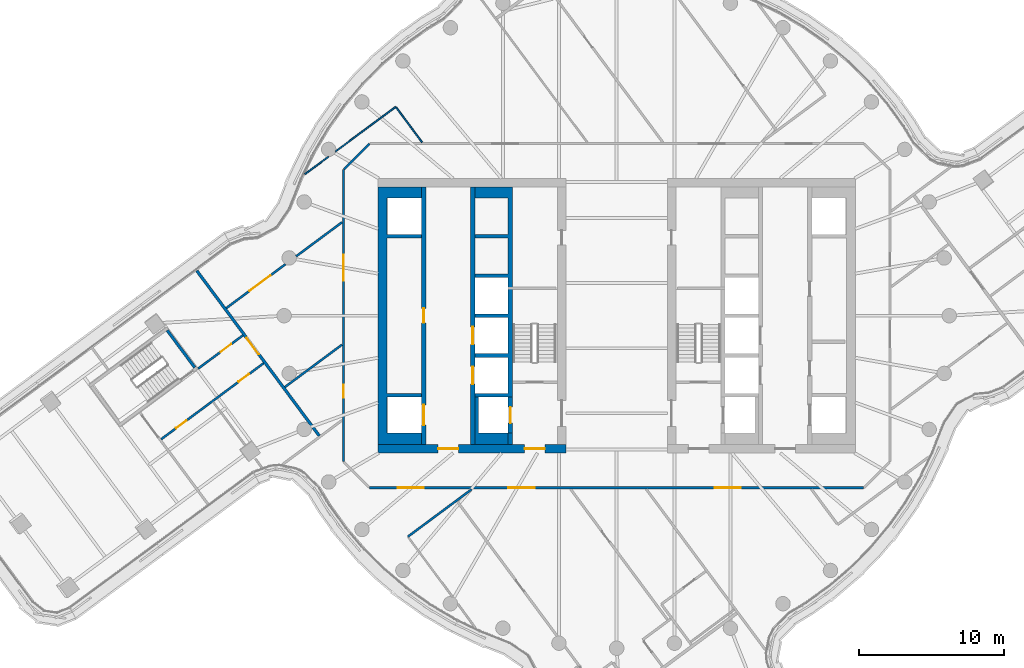
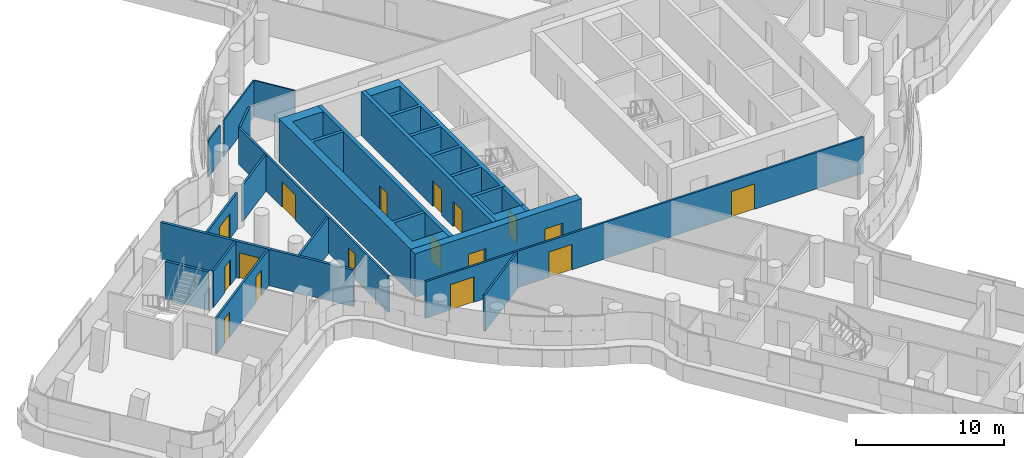
# One storey, part 21 of 32: 22 walls, 17 doors, 17 openings.
"""IFC4 building model written with IfcOpenShell, lengths in metres."""

from ifc_helpers import new_model, si_unit, direction, frame, frame_2d, origin, place, context, subcontext, project, spatial, polyline, rectangle, outline, extrude, material, layer, layer_set, type_object, element, fill, save


model = new_model("IFC4")

# Units and contexts
model_context = context("Model", 3, precision=1e-05, world=origin(), true_north=direction((0.0, 1.0)))
body_context = subcontext(model_context, "Body", "Model", "MODEL_VIEW")
ifc_project = project(units=[si_unit("LENGTHUNIT", "METRE"), si_unit("AREAUNIT", "SQUARE_METRE"), si_unit("VOLUMEUNIT", "CUBIC_METRE"), si_unit("PLANEANGLEUNIT", "RADIAN"), si_unit("MASSUNIT", "GRAM", prefix="KILO")], contexts=[model_context])

# Site, building, storey
site_placement = place(None, origin())
site = spatial("IfcSite", under=ifc_project, at=site_placement, CompositionType="ELEMENT")
building_placement = place(site_placement, origin())
building = spatial("IfcBuilding", under=site, at=building_placement, Name="Tamarind Cross Interchange Tower", CompositionType="ELEMENT")
storey_placement = place(building_placement, frame((0.0, 0.0, 166.75)))
storey = spatial("IfcBuildingStorey", under=building, at=storey_placement, Name="L41", CompositionType="ELEMENT", Elevation=166.75)

# Wall, openings, doors
ifc_material_1 = material(Name="Concrete C60", Category="concrete")
ifc_layer_1 = layer(ifc_material_1, 0.60009765625)
ifc_layer_set_1 = layer_set([ifc_layer_1], Name="Concrete C60")
wall_type_1 = type_object("IfcWallType", Name="Core wall 600 mm Concrete C60", PredefinedType="SHEAR", material=ifc_layer_set_1)
wall_1_placement = place(storey_placement, frame((-16.5, -9.199951171875, 0.0), z_axis=(0.0, 0.0, 1.0), x_axis=(1.0, 0.0, 0.0)))
wall_1 = element("IfcWall", 1, at=wall_1_placement, inside=storey, type_object=wall_type_1, Name="Core wall CWL-L41-W-S", PredefinedType="SHEAR", context=body_context, shape_type="SweptSolid", body=[
    extrude(rectangle(XDim=13.0, YDim=0.60009765625, at=frame_2d((6.5, 0.0))), origin(), (0.0, 0.0, 1.0), 3.610107421875),
])
opening_1_placement = place(wall_1_placement, frame((4.14990234375, 0.0, 0.0)))
opening_1 = element("IfcOpeningElement", 2, at=opening_1_placement, cuts=wall_1, Name="Opening DCW1", PredefinedType="OPENING", context=body_context, shape_type="SweptSolid", body=[
    extrude(rectangle(XDim=1.39990234375, YDim=2.10009765625, at=frame_2d((0.699951171875, 1.050048828125))), frame((0.0, 0.31005859375, 0.0), z_axis=(0.0, -1.0, 0.0), x_axis=(1.0, 0.0, 0.0)), (0.0, 0.0, 1.0), 0.6201171875),
])
opening_2_placement = place(wall_1_placement, frame((10.125, 0.0, 0.0)))
opening_2 = element("IfcOpeningElement", 3, at=opening_2_placement, cuts=wall_1, Name="Opening DCWF", PredefinedType="OPENING", context=body_context, shape_type="SweptSolid", body=[
    extrude(rectangle(XDim=1.39990234375, YDim=2.10009765625, at=frame_2d((0.699951171875, 1.050048828125))), frame((0.0, 0.31005859375, 0.0), z_axis=(0.0, -1.0, 0.0), x_axis=(1.0, 0.0, 0.0)), (0.0, 0.0, 1.0), 0.6201171875),
])
ifc_material_2 = material(Name="Steel, fire-resisting", Category="steel")
door_type_1 = type_object("IfcDoorType", Name="Core fire door 1400 x 2100 FD90", OperationType="SINGLE_SWING_LEFT", PredefinedType="DOOR", material=ifc_material_2)
door_1_placement = place(opening_1_placement, origin())
door_1 = element("IfcDoor", 4, at=door_1_placement, inside=storey, type_object=door_type_1, Name="L41 lift lobby door", OperationType="SINGLE_SWING_LEFT", OverallHeight=2.10009765625, OverallWidth=1.39990234375, PredefinedType="DOOR", context=body_context, shape_type="SweptSolid", body=[
    extrude(rectangle(XDim=1.39990234375, YDim=2.10009765625, at=frame_2d((0.699951171875, 1.050048828125))), frame((0.0, 0.02490234375, 0.0), z_axis=(0.0, -1.0, 0.0), x_axis=(1.0, 0.0, 0.0)), (0.0, 0.0, 1.0), 0.050048828125),
])
fill(opening_1, door_1)
door_2_placement = place(opening_2_placement, origin())
door_2 = element("IfcDoor", 5, at=door_2_placement, inside=storey, type_object=door_type_1, Name="L41 firefighting lobby end door", OperationType="SINGLE_SWING_LEFT", OverallHeight=2.10009765625, OverallWidth=1.39990234375, PredefinedType="DOOR", context=body_context, shape_type="SweptSolid", body=[
    extrude(rectangle(XDim=1.39990234375, YDim=2.10009765625, at=frame_2d((0.699951171875, 1.050048828125))), frame((0.0, 0.02490234375, 0.0), z_axis=(0.0, -1.0, 0.0), x_axis=(1.0, 0.0, 0.0)), (0.0, 0.0, 1.0), 0.050048828125),
])
fill(opening_2, door_2)

# Walls
wall_2_placement = place(storey_placement, origin())
element("IfcWall", 6, at=wall_2_placement, inside=storey, type_object=wall_type_1, Name="Core wall CWL-L41-W-A", PredefinedType="SHEAR", context=body_context, shape_type="SweptSolid", body=[
    extrude(outline(polyline([(-13.5, -8.125), (-15.89990234375, -8.125), (-15.89990234375, -5.625), (-13.5, -5.625), (-13.5, -5.375), (-15.89990234375, -5.375), (-15.89990234375, 5.375), (-13.5, 5.375), (-13.5, 5.625), (-15.89990234375, 5.625), (-15.89990234375, 8.125), (-13.5, 8.125), (-13.5, 8.89990234375), (-15.89990234375, 8.89990234375), (-16.5, 8.89990234375), (-16.5, -8.89990234375), (-15.89990234375, -8.89990234375), (-13.5, -8.89990234375), (-13.5, -8.125)])), origin(), (0.0, 0.0, 1.0), 3.610107421875),
])
ifc_layer_2 = layer(ifc_material_1, 0.300048828125)
ifc_layer_set_2 = layer_set([ifc_layer_2], Name="Concrete C60")
wall_type_2 = type_object("IfcWallType", Name="Core web wall 300 mm Concrete C60", PredefinedType="SHEAR", material=ifc_layer_set_2)
wall_3_placement = place(storey_placement, origin())
element("IfcWall", 7, at=wall_3_placement, inside=storey, type_object=wall_type_2, Name="Core wall CWL-L41-W-BN", PredefinedType="SHEAR", context=body_context, shape_type="SweptSolid", body=[
    extrude(outline(polyline([(-9.800048828125, -5.375), (-9.800048828125, -5.625), (-7.5, -5.625), (-7.199951171875, -5.625), (-7.199951171875, 8.89990234375), (-7.5, 8.89990234375), (-9.800048828125, 8.89990234375), (-9.800048828125, 8.125), (-7.5, 8.125), (-7.5, 5.625), (-9.800048828125, 5.625), (-9.800048828125, 5.375), (-7.5, 5.375), (-7.5, 2.875), (-9.800048828125, 2.875), (-9.800048828125, 2.625), (-7.5, 2.625), (-7.5, 0.125), (-9.800048828125, 0.125), (-9.800048828125, -0.125), (-7.5, -0.125), (-7.5, -2.625), (-9.800048828125, -2.625), (-9.800048828125, -2.875), (-7.5, -2.875), (-7.5, -5.375), (-9.800048828125, -5.375)])), origin(), (0.0, 0.0, 1.0), 3.610107421875),
])
wall_4_placement = place(storey_placement, origin())
element("IfcWall", 8, at=wall_4_placement, inside=storey, type_object=wall_type_2, Name="Core wall CWL-L41-W-BS", PredefinedType="SHEAR", context=body_context, shape_type="SweptSolid", body=[
    extrude(outline(polyline([(-7.5, -8.125), (-9.550048828125, -8.125), (-9.550048828125, -5.625), (-9.800048828125, -5.625), (-9.800048828125, -8.125), (-9.800048828125, -8.89990234375), (-7.5, -8.89990234375), (-7.5, -8.125)])), origin(), (0.0, 0.0, 1.0), 3.610107421875),
])
wall_5_placement = place(storey_placement, frame((-7.35009765625, -8.89990234375, 0.0), z_axis=(0.0, 0.0, 1.0), x_axis=(0.0, 1.0, 0.0)))
element("IfcWall", 9, at=wall_5_placement, inside=storey, type_object=wall_type_2, Name="Core wall CWL-L41-W-BW", PredefinedType="SHEAR", context=body_context, shape_type="SweptSolid", body=[
    extrude(rectangle(XDim=0.77490234375, YDim=0.300048828125, at=frame_2d((0.387451171875, 0.0))), origin(), (0.0, 0.0, 1.0), 3.610107421875),
])

# Wall, openings, doors
wall_6_placement = place(storey_placement, frame((-13.35009765625, -8.89990234375, 0.0), z_axis=(0.0, 0.0, 1.0), x_axis=(0.0, 1.0, 0.0)))
wall_6 = element("IfcWall", 10, at=wall_6_placement, inside=storey, type_object=wall_type_2, Name="Core wall CWL-L41-W-LA", PredefinedType="SHEAR", context=body_context, shape_type="SweptSolid", body=[
    extrude(rectangle(XDim=17.7998046875, YDim=0.300048828125, at=frame_2d((8.89990234375, 0.0))), origin(), (0.0, 0.0, 1.0), 3.610107421875),
])
opening_3_placement = place(wall_6_placement, frame((1.324951171875, 0.0, 0.0)))
opening_3 = element("IfcOpeningElement", 11, at=opening_3_placement, cuts=wall_6, Name="Opening LD1L41", PredefinedType="OPENING", context=body_context, shape_type="SweptSolid", body=[
    extrude(rectangle(XDim=1.39990234375, YDim=2.10009765625, at=frame_2d((0.699951171875, 1.050048828125))), frame((0.0, 0.159912109375, 0.0), z_axis=(0.0, -1.0, 0.0), x_axis=(1.0, 0.0, 0.0)), (0.0, 0.0, 1.0), 0.320068359375),
])
opening_4_placement = place(wall_6_placement, frame((8.39990234375, 0.0, 0.0)))
opening_4 = element("IfcOpeningElement", 12, at=opening_4_placement, cuts=wall_6, Name="Opening DCW9", PredefinedType="OPENING", context=body_context, shape_type="SweptSolid", body=[
    extrude(rectangle(XDim=1.0, YDim=2.10009765625, at=frame_2d((0.5, 1.050048828125))), frame((0.0, 0.159912109375, 0.0), z_axis=(0.0, -1.0, 0.0), x_axis=(1.0, 0.0, 0.0)), (0.0, 0.0, 1.0), 0.320068359375),
])
door_type_2 = type_object("IfcDoorType", Name="Core fire door 1000 x 2100 FD90", OperationType="SINGLE_SWING_LEFT", PredefinedType="DOOR", material=ifc_material_2)
door_3_placement = place(opening_4_placement, origin())
door_3 = element("IfcDoor", 13, at=door_3_placement, inside=storey, type_object=door_type_2, Name="L41 Electrical room door", OperationType="SINGLE_SWING_LEFT", OverallHeight=2.10009765625, OverallWidth=1.0, PredefinedType="DOOR", context=body_context, shape_type="SweptSolid", body=[
    extrude(rectangle(XDim=1.0, YDim=2.10009765625, at=frame_2d((0.5, 1.050048828125))), frame((0.0, 0.02490234375, 0.0), z_axis=(0.0, -1.0, 0.0), x_axis=(1.0, 0.0, 0.0)), (0.0, 0.0, 1.0), 0.050048828125),
])
fill(opening_4, door_3)
ifc_material_3 = material(Name="Stainless steel panel", Category="steel")
door_type_3 = type_object("IfcDoorType", Name="Lift landing door 1400 x 2100 E 120", OperationType="SLIDING_TO_LEFT", PredefinedType="DOOR", material=ifc_material_3)
door_4_placement = place(opening_3_placement, origin())
door_4 = element("IfcDoor", 14, at=door_4_placement, inside=storey, type_object=door_type_3, Name="L41 landing door LF1", OperationType="SLIDING_TO_LEFT", OverallHeight=2.10009765625, OverallWidth=1.39990234375, PredefinedType="DOOR", context=body_context, shape_type="SweptSolid", body=[
    extrude(rectangle(XDim=1.39990234375, YDim=2.10009765625, at=frame_2d((0.699951171875, 1.050048828125))), frame((0.0, 0.02490234375, 0.0), z_axis=(0.0, -1.0, 0.0), x_axis=(1.0, 0.0, 0.0)), (0.0, 0.0, 1.0), 0.050048828125),
])
fill(opening_3, door_4)

wall_7_placement = place(storey_placement, frame((-9.949951171875, -8.89990234375, 0.0), z_axis=(0.0, 0.0, 1.0), x_axis=(0.0, 1.0, 0.0)))
wall_7 = element("IfcWall", 15, at=wall_7_placement, inside=storey, type_object=wall_type_2, Name="Core wall CWL-L41-W-LB", PredefinedType="SHEAR", context=body_context, shape_type="SweptSolid", body=[
    extrude(rectangle(XDim=17.7998046875, YDim=0.300048828125, at=frame_2d((8.89990234375, 0.0))), origin(), (0.0, 0.0, 1.0), 3.610107421875),
])
opening_5_placement = place(wall_7_placement, frame((4.175048828125, 0.0, 0.0)))
opening_5 = element("IfcOpeningElement", 16, at=opening_5_placement, cuts=wall_7, Name="Opening LD8L41", PredefinedType="OPENING", context=body_context, shape_type="SweptSolid", body=[
    extrude(rectangle(XDim=1.199951171875, YDim=2.10009765625, at=frame_2d((0.60009765625, 1.050048828125))), frame((0.0, 0.159912109375, 0.0), z_axis=(0.0, -1.0, 0.0), x_axis=(1.0, 0.0, 0.0)), (0.0, 0.0, 1.0), 0.320068359375),
])
opening_6_placement = place(wall_7_placement, frame((6.925048828125, 0.0, 0.0)))
opening_6 = element("IfcOpeningElement", 17, at=opening_6_placement, cuts=wall_7, Name="Opening LD9L41", PredefinedType="OPENING", context=body_context, shape_type="SweptSolid", body=[
    extrude(rectangle(XDim=1.199951171875, YDim=2.10009765625, at=frame_2d((0.60009765625, 1.050048828125))), frame((0.0, 0.159912109375, 0.0), z_axis=(0.0, -1.0, 0.0), x_axis=(1.0, 0.0, 0.0)), (0.0, 0.0, 1.0), 0.320068359375),
])
door_type_4 = type_object("IfcDoorType", Name="Lift landing door 1200 x 2100 E 120", OperationType="SLIDING_TO_LEFT", PredefinedType="DOOR", material=ifc_material_3)
door_5_placement = place(opening_5_placement, origin())
door_5 = element("IfcDoor", 18, at=door_5_placement, inside=storey, type_object=door_type_4, Name="L41 landing door LF8", OperationType="SLIDING_TO_LEFT", OverallHeight=2.10009765625, OverallWidth=1.199951171875, PredefinedType="DOOR", context=body_context, shape_type="SweptSolid", body=[
    extrude(rectangle(XDim=1.199951171875, YDim=2.10009765625, at=frame_2d((0.60009765625, 1.050048828125))), frame((0.0, 0.02490234375, 0.0), z_axis=(0.0, -1.0, 0.0), x_axis=(1.0, 0.0, 0.0)), (0.0, 0.0, 1.0), 0.050048828125),
])
fill(opening_5, door_5)
door_6_placement = place(opening_6_placement, origin())
door_6 = element("IfcDoor", 19, at=door_6_placement, inside=storey, type_object=door_type_4, Name="L41 landing door LF9", OperationType="SLIDING_TO_LEFT", OverallHeight=2.10009765625, OverallWidth=1.199951171875, PredefinedType="DOOR", context=body_context, shape_type="SweptSolid", body=[
    extrude(rectangle(XDim=1.199951171875, YDim=2.10009765625, at=frame_2d((0.60009765625, 1.050048828125))), frame((0.0, 0.02490234375, 0.0), z_axis=(0.0, -1.0, 0.0), x_axis=(1.0, 0.0, 0.0)), (0.0, 0.0, 1.0), 0.050048828125),
])
fill(opening_6, door_6)

# Wall, opening, door
wall_8_placement = place(storey_placement, frame((-7.35009765625, -8.125, 0.0), z_axis=(0.0, 0.0, 1.0), x_axis=(0.0, 1.0, 0.0)))
wall_8 = element("IfcWall", 20, at=wall_8_placement, inside=storey, type_object=wall_type_2, Name="Core wall CWL-L41-W-FF", PredefinedType="SHEAR", context=body_context, shape_type="SweptSolid", body=[
    extrude(rectangle(XDim=2.5, YDim=0.300048828125, at=frame_2d((1.25, 0.0))), origin(), (0.0, 0.0, 1.0), 3.610107421875),
])
opening_7_placement = place(wall_8_placement, frame((0.699951171875, 0.0, 0.0)))
opening_7 = element("IfcOpeningElement", 21, at=opening_7_placement, cuts=wall_8, Name="Opening LD7L41", PredefinedType="OPENING", context=body_context, shape_type="SweptSolid", body=[
    extrude(rectangle(XDim=1.10009765625, YDim=2.10009765625, at=frame_2d((0.550048828125, 1.050048828125))), frame((0.0, 0.159912109375, 0.0), z_axis=(0.0, -1.0, 0.0), x_axis=(1.0, 0.0, 0.0)), (0.0, 0.0, 1.0), 0.320068359375),
])
door_type_5 = type_object("IfcDoorType", Name="Lift landing door 1100 x 2100 E 120", OperationType="SLIDING_TO_LEFT", PredefinedType="DOOR", material=ifc_material_3)
door_7_placement = place(opening_7_placement, origin())
door_7 = element("IfcDoor", 22, at=door_7_placement, inside=storey, type_object=door_type_5, Name="L41 landing door LF7", OperationType="SLIDING_TO_LEFT", OverallHeight=2.10009765625, OverallWidth=1.10009765625, PredefinedType="DOOR", context=body_context, shape_type="SweptSolid", body=[
    extrude(rectangle(XDim=1.10009765625, YDim=2.10009765625, at=frame_2d((0.550048828125, 1.050048828125))), frame((0.0, 0.02490234375, 0.0), z_axis=(0.0, -1.0, 0.0), x_axis=(1.0, 0.0, 0.0)), (0.0, 0.0, 1.0), 0.050048828125),
])
fill(opening_7, door_7)

# Walls
ifc_material_4 = material(Name="Gypsum board partition on steel studs", Category="steel")
ifc_layer_3 = layer(ifc_material_4, 0.10009765625)
ifc_layer_set_3 = layer_set([ifc_layer_3], Name="Gypsum board partition on steel studs")
wall_type_3 = type_object("IfcWallType", Name="Partition 100 mm EI 90", PredefinedType="PARTITIONING", material=ifc_layer_set_3)
wall_9_placement = place(storey_placement, frame((-15.254150390625, 14.40478515625, 0.0), z_axis=(0.0, 0.0, 1.0), x_axis=(0.595811472465, -0.803124329901, 0.0)))
element("IfcWall", 23, at=wall_9_placement, inside=storey, type_object=wall_type_3, Name="Partition L41-006", PredefinedType="PARTITIONING", context=body_context, shape_type="SweptSolid", body=[
    extrude(rectangle(XDim=3.0087890625, YDim=0.10009765625, at=frame_2d((1.50439453125, 0.0))), origin(), (0.0, 0.0, 1.0), 3.010009765625),
])
wall_10_placement = place(storey_placement, frame((-21.56640625, 9.784423828125, 0.0), z_axis=(0.0, 0.0, 1.0), x_axis=(0.803148127908, 0.595779392593, 0.0)))
element("IfcWall", 24, at=wall_10_placement, inside=storey, type_object=wall_type_3, Name="Partition L41-041", PredefinedType="PARTITIONING", context=body_context, shape_type="SweptSolid", body=[
    extrude(rectangle(XDim=2.031005859375, YDim=0.10009765625, at=frame_2d((1.015625, 0.0))), origin(), (0.0, 0.0, 1.0), 3.010009765625),
])
wall_11_placement = place(storey_placement, frame((-19.447021484375, 11.356689453125, 0.0), z_axis=(0.0, 0.0, 1.0), x_axis=(0.803131470392, 0.595801847317, 0.0)))
element("IfcWall", 25, at=wall_11_placement, inside=storey, type_object=wall_type_3, Name="Partition L41-042", PredefinedType="PARTITIONING", context=body_context, shape_type="SweptSolid", body=[
    extrude(rectangle(XDim=5.18359375, YDim=0.10009765625, at=frame_2d((2.591796875, 0.0))), origin(), (0.0, 0.0, 1.0), 3.010009765625),
])

# Wall, openings, doors
ifc_layer_4 = layer(ifc_material_4, 0.14990234375)
ifc_layer_set_4 = layer_set([ifc_layer_4], Name="Gypsum board partition on steel studs")
wall_type_4 = type_object("IfcWallType", Name="Partition 150 mm EI 120", PredefinedType="PARTITIONING", material=ifc_layer_set_4)
wall_12_placement = place(storey_placement, frame((-17.10009765625, -11.89990234375, 0.0), z_axis=(0.0, 0.0, 1.0), x_axis=(1.0, 0.0, 0.0)))
wall_12 = element("IfcWall", 26, at=wall_12_placement, inside=storey, type_object=wall_type_4, Name="Partition L41-033", PredefinedType="PARTITIONING", context=body_context, shape_type="SweptSolid", body=[
    extrude(rectangle(XDim=34.1650390625, YDim=0.14990234375, at=frame_2d((17.08251953125, 0.0))), origin(), (0.0, 0.0, 1.0), 3.010009765625),
])
opening_8_placement = place(wall_12_placement, frame((9.616943359375, 0.0, 0.0)))
opening_8 = element("IfcOpeningElement", 27, at=opening_8_placement, cuts=wall_12, Name="Opening D22", PredefinedType="OPENING", context=body_context, shape_type="SweptSolid", body=[
    extrude(rectangle(XDim=1.800048828125, YDim=2.10009765625, at=frame_2d((0.89990234375, 1.050048828125))), frame((0.0, 0.0849609375, 0.0), z_axis=(0.0, -1.0, 0.0), x_axis=(1.0, 0.0, 0.0)), (0.0, 0.0, 1.0), 0.169921875),
])
opening_9_placement = place(wall_12_placement, frame((1.949951171875, 0.0, 0.0)))
opening_9 = element("IfcOpeningElement", 28, at=opening_9_placement, cuts=wall_12, Name="Opening D23", PredefinedType="OPENING", context=body_context, shape_type="SweptSolid", body=[
    extrude(rectangle(XDim=1.800048828125, YDim=2.10009765625, at=frame_2d((0.89990234375, 1.050048828125))), frame((0.0, 0.0849609375, 0.0), z_axis=(0.0, -1.0, 0.0), x_axis=(1.0, 0.0, 0.0)), (0.0, 0.0, 1.0), 0.169921875),
])
opening_10_placement = place(wall_12_placement, frame((23.87109375, 0.0, 0.0)))
opening_10 = element("IfcOpeningElement", 29, at=opening_10_placement, cuts=wall_12, Name="Opening D24", PredefinedType="OPENING", context=body_context, shape_type="SweptSolid", body=[
    extrude(rectangle(XDim=1.800048828125, YDim=2.10009765625, at=frame_2d((0.89990234375, 1.050048828125))), frame((0.0, 0.0849609375, 0.0), z_axis=(0.0, -1.0, 0.0), x_axis=(1.0, 0.0, 0.0)), (0.0, 0.0, 1.0), 0.169921875),
])
ifc_material_5 = material(Name="Fire-resisting door set")
door_type_6 = type_object("IfcDoorType", Name="Interior door 1800 x 2100 FD60S", OperationType="DOUBLE_DOOR_SINGLE_SWING", PredefinedType="DOOR", material=ifc_material_5)
door_8_placement = place(opening_8_placement, origin())
door_8 = element("IfcDoor", 30, at=door_8_placement, inside=storey, type_object=door_type_6, Name="Door D22", OperationType="DOUBLE_DOOR_SINGLE_SWING", OverallHeight=2.10009765625, OverallWidth=1.800048828125, PredefinedType="DOOR", context=body_context, shape_type="SweptSolid", body=[
    extrude(rectangle(XDim=1.800048828125, YDim=2.10009765625, at=frame_2d((0.89990234375, 1.050048828125))), frame((0.0, 0.02490234375, 0.0), z_axis=(0.0, -1.0, 0.0), x_axis=(1.0, 0.0, 0.0)), (0.0, 0.0, 1.0), 0.050048828125),
])
fill(opening_8, door_8)
door_9_placement = place(opening_9_placement, frame((1.800048828125, 0.0, 0.0), z_axis=(0.0, 0.0, 1.0), x_axis=(-1.0, 0.0, 0.0)))
door_9 = element("IfcDoor", 31, at=door_9_placement, inside=storey, type_object=door_type_6, Name="Door D23", OperationType="DOUBLE_DOOR_SINGLE_SWING", OverallHeight=2.10009765625, OverallWidth=1.800048828125, PredefinedType="DOOR", context=body_context, shape_type="SweptSolid", body=[
    extrude(rectangle(XDim=1.800048828125, YDim=2.10009765625, at=frame_2d((0.89990234375, 1.050048828125))), frame((0.0, 0.02490234375, 0.0), z_axis=(0.0, -1.0, 0.0), x_axis=(1.0, 0.0, 0.0)), (0.0, 0.0, 1.0), 0.050048828125),
])
fill(opening_9, door_9)
door_10_placement = place(opening_10_placement, frame((1.800048828125, 0.0, 0.0), z_axis=(0.0, 0.0, 1.0), x_axis=(-1.0, 0.0, 0.0)))
door_10 = element("IfcDoor", 32, at=door_10_placement, inside=storey, type_object=door_type_6, Name="Door D24", OperationType="DOUBLE_DOOR_SINGLE_SWING", OverallHeight=2.10009765625, OverallWidth=1.800048828125, PredefinedType="DOOR", context=body_context, shape_type="SweptSolid", body=[
    extrude(rectangle(XDim=1.800048828125, YDim=2.10009765625, at=frame_2d((0.89990234375, 1.050048828125))), frame((0.0, 0.02490234375, 0.0), z_axis=(0.0, -1.0, 0.0), x_axis=(1.0, 0.0, 0.0)), (0.0, 0.0, 1.0), 0.050048828125),
])
fill(opening_10, door_10)

wall_13_placement = place(storey_placement, frame((-31.500732421875, -8.542236328125, 0.0), z_axis=(0.0, 0.0, 1.0), x_axis=(0.803144600924, 0.59578414716, 0.0)))
wall_13 = element("IfcWall", 33, at=wall_13_placement, inside=storey, type_object=wall_type_4, Name="Partition L41-035", PredefinedType="PARTITIONING", context=body_context, shape_type="SweptSolid", body=[
    extrude(rectangle(XDim=8.819580078125, YDim=0.14990234375, at=frame_2d((4.40966796875, 0.0))), origin(), (0.0, 0.0, 1.0), 3.010009765625),
])
opening_11_placement = place(wall_13_placement, frame((6.669921875, 0.0, 0.0)))
opening_11 = element("IfcOpeningElement", 34, at=opening_11_placement, cuts=wall_13, Name="Opening D28", PredefinedType="OPENING", context=body_context, shape_type="SweptSolid", body=[
    extrude(rectangle(XDim=0.89990234375, YDim=2.10009765625, at=frame_2d((0.449951171875, 1.050048828125))), frame((0.0, 0.0849609375, 0.0), z_axis=(0.0, -1.0, 0.0), x_axis=(1.0, 0.0, 0.0)), (0.0, 0.0, 1.0), 0.169921875),
])
opening_12_placement = place(wall_13_placement, frame((1.27001953125, 0.0, 0.0)))
opening_12 = element("IfcOpeningElement", 35, at=opening_12_placement, cuts=wall_13, Name="Opening D29", PredefinedType="OPENING", context=body_context, shape_type="SweptSolid", body=[
    extrude(rectangle(XDim=0.89990234375, YDim=2.10009765625, at=frame_2d((0.449951171875, 1.050048828125))), frame((0.0, 0.0849609375, 0.0), z_axis=(0.0, -1.0, 0.0), x_axis=(1.0, 0.0, 0.0)), (0.0, 0.0, 1.0), 0.169921875),
])
door_type_7 = type_object("IfcDoorType", Name="Interior door 900 x 2100 FD60S", OperationType="SINGLE_SWING_LEFT", PredefinedType="DOOR", material=ifc_material_5)
door_11_placement = place(opening_11_placement, frame((0.89990234375, 0.0, 0.0), z_axis=(0.0, 0.0, 1.0), x_axis=(-1.0, 0.0, 0.0)))
door_11 = element("IfcDoor", 36, at=door_11_placement, inside=storey, type_object=door_type_7, Name="Door D28", OperationType="SINGLE_SWING_RIGHT", OverallHeight=2.10009765625, OverallWidth=0.89990234375, PredefinedType="DOOR", context=body_context, shape_type="SweptSolid", body=[
    extrude(rectangle(XDim=0.89990234375, YDim=2.10009765625, at=frame_2d((0.449951171875, 1.050048828125))), frame((0.0, 0.02490234375, 0.0), z_axis=(0.0, -1.0, 0.0), x_axis=(1.0, 0.0, 0.0)), (0.0, 0.0, 1.0), 0.050048828125),
])
fill(opening_11, door_11)
door_12_placement = place(opening_12_placement, frame((0.89990234375, 0.0, 0.0), z_axis=(0.0, 0.0, 1.0), x_axis=(-1.0, 0.0, 0.0)))
door_12 = element("IfcDoor", 37, at=door_12_placement, inside=storey, type_object=door_type_7, Name="Door D29", OperationType="SINGLE_SWING_LEFT", OverallHeight=2.10009765625, OverallWidth=0.89990234375, PredefinedType="DOOR", context=body_context, shape_type="SweptSolid", body=[
    extrude(rectangle(XDim=0.89990234375, YDim=2.10009765625, at=frame_2d((0.449951171875, 1.050048828125))), frame((0.0, 0.02490234375, 0.0), z_axis=(0.0, -1.0, 0.0), x_axis=(1.0, 0.0, 0.0)), (0.0, 0.0, 1.0), 0.050048828125),
])
fill(opening_12, door_12)

# Wall, opening, door
wall_14_placement = place(storey_placement, frame((-28.947509765625, -3.659423828125, 0.0), z_axis=(0.0, 0.0, 1.0), x_axis=(0.803131221911, 0.595802182265, 0.0)))
wall_14 = element("IfcWall", 38, at=wall_14_placement, inside=storey, type_object=wall_type_4, Name="Partition L41-036", PredefinedType="PARTITIONING", context=body_context, shape_type="SweptSolid", body=[
    extrude(rectangle(XDim=3.860107421875, YDim=0.14990234375, at=frame_2d((1.93017578125, 0.0))), origin(), (0.0, 0.0, 1.0), 3.010009765625),
])
opening_13_placement = place(wall_14_placement, frame((1.949951171875, 0.0, 0.0)))
opening_13 = element("IfcOpeningElement", 39, at=opening_13_placement, cuts=wall_14, Name="Opening D30", PredefinedType="OPENING", context=body_context, shape_type="SweptSolid", body=[
    extrude(rectangle(XDim=0.89990234375, YDim=2.10009765625, at=frame_2d((0.449951171875, 1.050048828125))), frame((0.0, 0.0849609375, 0.0), z_axis=(0.0, -1.0, 0.0), x_axis=(1.0, 0.0, 0.0)), (0.0, 0.0, 1.0), 0.169921875),
])
door_13_placement = place(opening_13_placement, origin())
door_13 = element("IfcDoor", 40, at=door_13_placement, inside=storey, type_object=door_type_7, Name="Door D30", OperationType="SINGLE_SWING_LEFT", OverallHeight=2.10009765625, OverallWidth=0.89990234375, PredefinedType="DOOR", context=body_context, shape_type="SweptSolid", body=[
    extrude(rectangle(XDim=0.89990234375, YDim=2.10009765625, at=frame_2d((0.449951171875, 1.050048828125))), frame((0.0, 0.02490234375, 0.0), z_axis=(0.0, -1.0, 0.0), x_axis=(1.0, 0.0, 0.0)), (0.0, 0.0, 1.0), 0.050048828125),
])
fill(opening_13, door_13)

wall_15_placement = place(storey_placement, frame((-26.997802734375, 0.526611328125, 0.0), z_axis=(0.0, 0.0, 1.0), x_axis=(0.803172828939, 0.595746092605, 0.0)))
wall_15 = element("IfcWall", 41, at=wall_15_placement, inside=storey, type_object=wall_type_4, Name="Partition L41-037", PredefinedType="PARTITIONING", context=body_context, shape_type="SweptSolid", body=[
    extrude(rectangle(XDim=5.088134765625, YDim=0.14990234375, at=frame_2d((2.5439453125, 0.0))), origin(), (0.0, 0.0, 1.0), 3.010009765625),
])
opening_14_placement = place(wall_15_placement, frame((2.0, 0.0, 0.0)))
opening_14 = element("IfcOpeningElement", 42, at=opening_14_placement, cuts=wall_15, Name="Opening D31", PredefinedType="OPENING", context=body_context, shape_type="SweptSolid", body=[
    extrude(rectangle(XDim=1.800048828125, YDim=2.10009765625, at=frame_2d((0.89990234375, 1.050048828125))), frame((0.0, 0.0849609375, 0.0), z_axis=(0.0, -1.0, 0.0), x_axis=(1.0, 0.0, 0.0)), (0.0, 0.0, 1.0), 0.169921875),
])
door_14_placement = place(opening_14_placement, origin())
door_14 = element("IfcDoor", 43, at=door_14_placement, inside=storey, type_object=door_type_6, Name="Door D31", OperationType="DOUBLE_DOOR_SINGLE_SWING", OverallHeight=2.10009765625, OverallWidth=1.800048828125, PredefinedType="DOOR", context=body_context, shape_type="SweptSolid", body=[
    extrude(rectangle(XDim=1.800048828125, YDim=2.10009765625, at=frame_2d((0.89990234375, 1.050048828125))), frame((0.0, 0.02490234375, 0.0), z_axis=(0.0, -1.0, 0.0), x_axis=(1.0, 0.0, 0.0)), (0.0, 0.0, 1.0), 0.050048828125),
])
fill(opening_14, door_14)

# Walls
wall_16_placement = place(storey_placement, frame((-22.1708984375, 4.10693359375, 0.0), z_axis=(0.0, 0.0, 1.0), x_axis=(0.803180127116, 0.595736253225, 0.0)))
element("IfcWall", 44, at=wall_16_placement, inside=storey, type_object=wall_type_4, Name="Partition L41-038", PredefinedType="PARTITIONING", context=body_context, shape_type="SweptSolid", body=[
    extrude(rectangle(XDim=3.947265625, YDim=0.14990234375, at=frame_2d((1.9736328125, 0.0))), origin(), (0.0, 0.0, 1.0), 3.010009765625),
])
wall_17_placement = place(storey_placement, frame((-22.94580078125, -4.935302734375, 0.0), z_axis=(0.0, 0.0, 1.0), x_axis=(0.803137919157, 0.595793154385, 0.0)))
element("IfcWall", 45, at=wall_17_placement, inside=storey, type_object=wall_type_4, Name="Partition L41-040", PredefinedType="PARTITIONING", context=body_context, shape_type="SweptSolid", body=[
    extrude(rectangle(XDim=4.912353515625, YDim=0.14990234375, at=frame_2d((2.4560546875, 0.0))), origin(), (0.0, 0.0, 1.0), 3.010009765625),
])
wall_18_placement = place(storey_placement, frame((-14.445068359375, -15.283935546875, 0.0), z_axis=(0.0, 0.0, 1.0), x_axis=(0.803166728219, 0.595754317385, 0.0)))
element("IfcWall", 46, at=wall_18_placement, inside=storey, type_object=wall_type_4, Name="Partition L41-048", PredefinedType="PARTITIONING", context=body_context, shape_type="SweptSolid", body=[
    extrude(rectangle(XDim=5.485107421875, YDim=0.14990234375, at=frame_2d((2.74267578125, 0.0))), origin(), (0.0, 0.0, 1.0), 3.010009765625),
])
wall_19_placement = place(storey_placement, frame((-18.87158203125, 10.12841796875, 0.0), z_axis=(0.0, 0.0, 1.0), x_axis=(0.707106781187, 0.707106781187, 0.0)))
element("IfcWall", 47, at=wall_19_placement, inside=storey, type_object=wall_type_4, Name="Partition L41-075", PredefinedType="PARTITIONING", context=body_context, shape_type="SweptSolid", body=[
    extrude(rectangle(XDim=2.50537109375, YDim=0.14990234375, at=frame_2d((1.252685546875, 0.0))), origin(), (0.0, 0.0, 1.0), 3.010009765625),
])

# Wall, openings, doors
wall_20_placement = place(storey_placement, frame((-18.89990234375, -10.10009765625, 0.0), z_axis=(0.0, 0.0, 1.0), x_axis=(0.0, 1.0, 0.0)))
wall_20 = element("IfcWall", 48, at=wall_20_placement, inside=storey, type_object=wall_type_4, Name="Partition L41-077", PredefinedType="PARTITIONING", context=body_context, shape_type="SweptSolid", body=[
    extrude(rectangle(XDim=20.2001953125, YDim=0.14990234375, at=frame_2d((10.10009765625, 0.0))), origin(), (0.0, 0.0, 1.0), 3.010009765625),
])
opening_15_placement = place(wall_20_placement, frame((12.51611328125, 0.0, 0.0)))
opening_15 = element("IfcOpeningElement", 49, at=opening_15_placement, cuts=wall_20, Name="Opening D42", PredefinedType="OPENING", context=body_context, shape_type="SweptSolid", body=[
    extrude(rectangle(XDim=1.800048828125, YDim=2.10009765625, at=frame_2d((0.89990234375, 1.050048828125))), frame((0.0, 0.0849609375, 0.0), z_axis=(0.0, -1.0, 0.0), x_axis=(1.0, 0.0, 0.0)), (0.0, 0.0, 1.0), 0.169921875),
])
opening_16_placement = place(wall_20_placement, frame((4.43701171875, 0.0, 0.0)))
opening_16 = element("IfcOpeningElement", 50, at=opening_16_placement, cuts=wall_20, Name="Opening D43", PredefinedType="OPENING", context=body_context, shape_type="SweptSolid", body=[
    extrude(rectangle(XDim=0.89990234375, YDim=2.10009765625, at=frame_2d((0.449951171875, 1.050048828125))), frame((0.0, 0.0849609375, 0.0), z_axis=(0.0, -1.0, 0.0), x_axis=(1.0, 0.0, 0.0)), (0.0, 0.0, 1.0), 0.169921875),
])
door_15_placement = place(opening_15_placement, frame((1.800048828125, 0.0, 0.0), z_axis=(0.0, 0.0, 1.0), x_axis=(-1.0, 0.0, 0.0)))
door_15 = element("IfcDoor", 51, at=door_15_placement, inside=storey, type_object=door_type_6, Name="Door D42", OperationType="DOUBLE_DOOR_SINGLE_SWING", OverallHeight=2.10009765625, OverallWidth=1.800048828125, PredefinedType="DOOR", context=body_context, shape_type="SweptSolid", body=[
    extrude(rectangle(XDim=1.800048828125, YDim=2.10009765625, at=frame_2d((0.89990234375, 1.050048828125))), frame((0.0, 0.02490234375, 0.0), z_axis=(0.0, -1.0, 0.0), x_axis=(1.0, 0.0, 0.0)), (0.0, 0.0, 1.0), 0.050048828125),
])
fill(opening_15, door_15)
door_16_placement = place(opening_16_placement, origin())
door_16 = element("IfcDoor", 52, at=door_16_placement, inside=storey, type_object=door_type_7, Name="Door D43", OperationType="SINGLE_SWING_RIGHT", OverallHeight=2.10009765625, OverallWidth=0.89990234375, PredefinedType="DOOR", context=body_context, shape_type="SweptSolid", body=[
    extrude(rectangle(XDim=0.89990234375, YDim=2.10009765625, at=frame_2d((0.449951171875, 1.050048828125))), frame((0.0, 0.02490234375, 0.0), z_axis=(0.0, -1.0, 0.0), x_axis=(1.0, 0.0, 0.0)), (0.0, 0.0, 1.0), 0.050048828125),
])
fill(opening_16, door_16)

# Wall, opening, door
ifc_layer_5 = layer(ifc_material_4, 0.199951171875)
ifc_layer_set_5 = layer_set([ifc_layer_5], Name="Gypsum board partition on steel studs")
wall_type_5 = type_object("IfcWallType", Name="Partition 200 mm EI 180", PredefinedType="PARTITIONING", material=ifc_layer_set_5)
wall_21_placement = place(storey_placement, frame((-29.04345703125, 3.1162109375, 0.0), z_axis=(0.0, 0.0, 1.0), x_axis=(0.595824418901, -0.803114725205, 0.0)))
wall_21 = element("IfcWall", 53, at=wall_21_placement, inside=storey, type_object=wall_type_5, Name="Partition L41-003", PredefinedType="PARTITIONING", context=body_context, shape_type="SweptSolid", body=[
    extrude(rectangle(XDim=14.21923828125, YDim=0.199951171875, at=frame_2d((7.109619140625, 0.0))), origin(), (0.0, 0.0, 1.0), 3.010009765625),
])
opening_17_placement = place(wall_21_placement, frame((5.798828125, 0.0, 0.0)))
opening_17 = element("IfcOpeningElement", 54, at=opening_17_placement, cuts=wall_21, Name="Opening D02", PredefinedType="OPENING", context=body_context, shape_type="SweptSolid", body=[
    extrude(rectangle(XDim=1.39990234375, YDim=2.10009765625, at=frame_2d((0.699951171875, 1.050048828125))), frame((0.0, 0.10986328125, 0.0), z_axis=(0.0, -1.0, 0.0), x_axis=(1.0, 0.0, 0.0)), (0.0, 0.0, 1.0), 0.219970703125),
])
door_type_8 = type_object("IfcDoorType", Name="Interior door 1400 x 2100 FD120S", OperationType="DOUBLE_DOOR_SINGLE_SWING", PredefinedType="DOOR", material=ifc_material_5)
door_17_placement = place(opening_17_placement, origin())
door_17 = element("IfcDoor", 55, at=door_17_placement, inside=storey, type_object=door_type_8, Name="Door D02", OperationType="DOUBLE_DOOR_SINGLE_SWING", OverallHeight=2.10009765625, OverallWidth=1.39990234375, PredefinedType="DOOR", context=body_context, shape_type="SweptSolid", body=[
    extrude(rectangle(XDim=1.39990234375, YDim=2.10009765625, at=frame_2d((0.699951171875, 1.050048828125))), frame((0.0, 0.02490234375, 0.0), z_axis=(0.0, -1.0, 0.0), x_axis=(1.0, 0.0, 0.0)), (0.0, 0.0, 1.0), 0.050048828125),
])
fill(opening_17, door_17)

# Wall
ifc_material_6 = material(Name="Concrete C40", Category="concrete")
ifc_layer_6 = layer(ifc_material_6, 0.199951171875)
ifc_layer_set_6 = layer_set([ifc_layer_6], Name="Concrete C40")
wall_type_6 = type_object("IfcWallType", Name="Stair shaft wall 200 mm Concrete C40", PredefinedType="SHEAR", material=ifc_layer_set_6)
wall_22_placement = place(storey_placement, frame((-31.08544921875, -1.01220703125, -0.139892578125), z_axis=(0.0, 0.0, 1.0), x_axis=(0.595780254432, -0.80314748859, 0.0)))
element("IfcWall", 56, at=wall_22_placement, inside=storey, type_object=wall_type_6, Name="Core wall CWL-L41-ST5-CE", PredefinedType="SHEAR", context=body_context, shape_type="SweptSolid", body=[
    extrude(rectangle(XDim=3.199951171875, YDim=0.199951171875, at=frame_2d((1.60009765625, 0.0))), origin(), (0.0, 0.0, 1.0), 3.14990234375),
])

save(model, "model.ifc")
